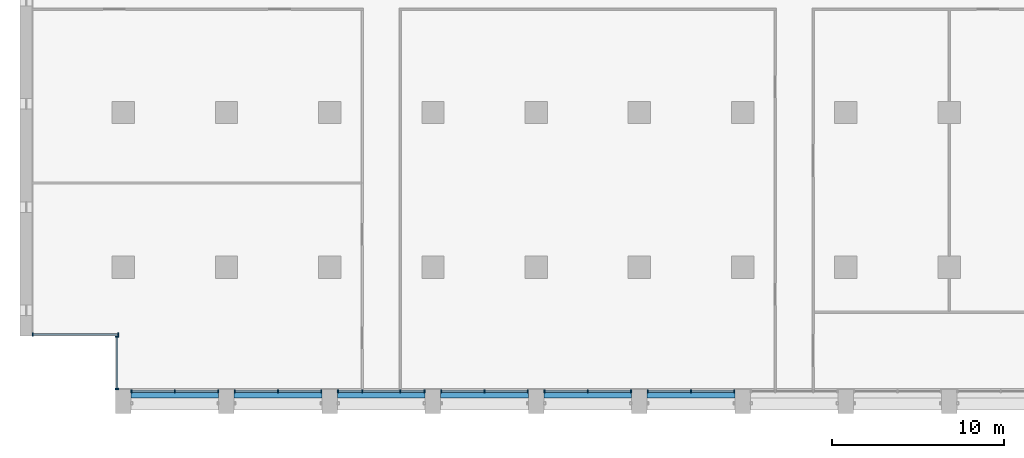
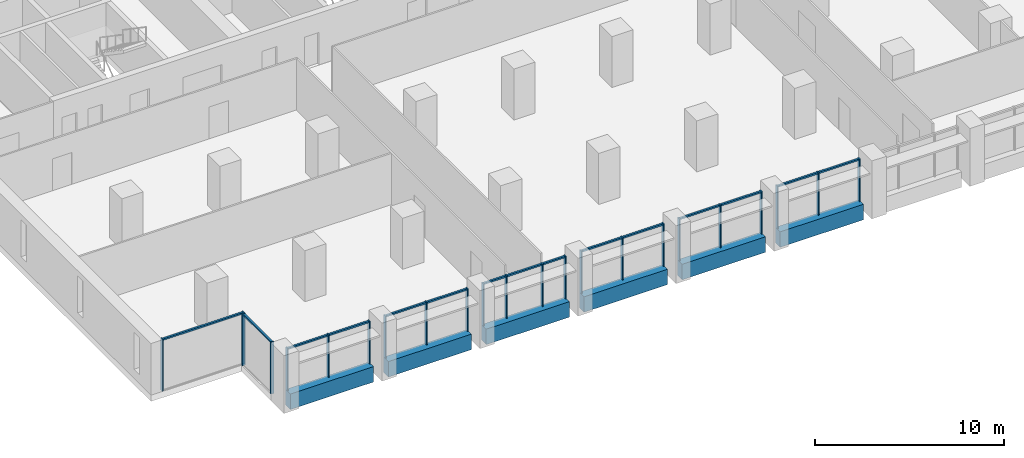
# One storey, part 2 of 15: 38 members, 6 beams, 8 elements without a shape of their own.
"""IFC4 building model written with IfcOpenShell, lengths in metres."""

from ifc_helpers import new_model, si_unit, direction, frame, origin, origin_2d, place, context, subcontext, project, spatial, rectangle, extrude, material, material_profile, profile_set, type_object, element, aggregate, save


model = new_model("IFC4")

# Units and contexts
model_context = context("Model", 3, precision=1e-05, world=origin(), true_north=direction((0.0, 1.0)))
body_context = subcontext(model_context, "Body", "Model", "MODEL_VIEW")
ifc_project = project(units=[si_unit("LENGTHUNIT", "METRE"), si_unit("AREAUNIT", "SQUARE_METRE"), si_unit("VOLUMEUNIT", "CUBIC_METRE"), si_unit("PLANEANGLEUNIT", "RADIAN"), si_unit("MASSUNIT", "GRAM", prefix="KILO")], contexts=[model_context])

# Site, building, storey
site_placement = place(None, origin())
site = spatial("IfcSite", under=ifc_project, at=site_placement, CompositionType="ELEMENT")
building_placement = place(site_placement, origin())
building = spatial("IfcBuilding", under=site, at=building_placement, Name="Calvaro Tower", CompositionType="ELEMENT")
storey_placement = place(building_placement, frame((0.0, 0.0, 132.5)))
storey = spatial("IfcBuildingStorey", under=building, at=storey_placement, Name="L33", CompositionType="ELEMENT", Elevation=132.5)

# Curtain wall, members
ifc_material_1 = material(Name="Anodised aluminium", Category="aluminium")
curtain_wall_type = type_object("IfcCurtainWallType", Name="Office curtain wall, middle zone", PredefinedType="NOTDEFINED", material=ifc_material_1)
curtain_wall_1_placement = place(storey_placement, origin())
curtain_wall_1 = element("IfcCurtainWall", 1, at=curtain_wall_1_placement, inside=storey, type_object=curtain_wall_type, Name="CW2 south curtain wall", PredefinedType="NOTDEFINED")
ifc_material_2 = material(Name="Anodised aluminium", Category="aluminium")
ifc_material_profile_1 = material_profile(ifc_material_2, rectangle(XDim=0.199951171875, YDim=0.070068359375, at=origin_2d()), Name="Mullion S2 70 x 200")
ifc_profile_set_1 = profile_set([ifc_material_profile_1], Name="Anodised aluminium")
member_type_1 = type_object("IfcMemberType", Name="Mullion S2 70 x 200", PredefinedType="MULLION", material=ifc_profile_set_1)
member_1_placement = place(storey_placement, frame((6.485107421875, 2.800048828125, 0.0), z_axis=(0.0, 0.0, 1.0), x_axis=(0.0, 1.0, 0.0)))
member_1 = element("IfcMember", 2, at=member_1_placement, type_object=member_type_1, Name="CW2 mullion 1", PredefinedType="MULLION", context=body_context, shape_type="SweptSolid", body=[
    extrude(rectangle(XDim=0.199951171875, YDim=0.070068359375, at=origin_2d()), origin(), (0.0, 0.0, 1.0), 2.75),
])
member_2_placement = place(storey_placement, frame((9.0, 2.800048828125, 0.0), z_axis=(0.0, 0.0, 1.0), x_axis=(0.0, 1.0, 0.0)))
member_2 = element("IfcMember", 3, at=member_2_placement, type_object=member_type_1, Name="CW2 mullion 2", PredefinedType="MULLION", context=body_context, shape_type="SweptSolid", body=[
    extrude(rectangle(XDim=0.199951171875, YDim=0.070068359375, at=origin_2d()), origin(), (0.0, 0.0, 1.0), 2.75),
])
member_3_placement = place(storey_placement, frame((11.514892578125, 2.800048828125, 0.0), z_axis=(0.0, 0.0, 1.0), x_axis=(0.0, 1.0, 0.0)))
member_3 = element("IfcMember", 4, at=member_3_placement, type_object=member_type_1, Name="CW2 mullion 3", PredefinedType="MULLION", context=body_context, shape_type="SweptSolid", body=[
    extrude(rectangle(XDim=0.199951171875, YDim=0.070068359375, at=origin_2d()), origin(), (0.0, 0.0, 1.0), 2.75),
])

curtain_wall_2_placement = place(storey_placement, origin())
curtain_wall_2 = element("IfcCurtainWall", 5, at=curtain_wall_2_placement, inside=storey, type_object=curtain_wall_type, Name="CW2 south curtain wall", PredefinedType="NOTDEFINED")
member_4_placement = place(storey_placement, frame((12.485107421875, 2.800048828125, 0.0), z_axis=(0.0, 0.0, 1.0), x_axis=(0.0, 1.0, 0.0)))
member_4 = element("IfcMember", 6, at=member_4_placement, type_object=member_type_1, Name="CW2 mullion 1", PredefinedType="MULLION", context=body_context, shape_type="SweptSolid", body=[
    extrude(rectangle(XDim=0.199951171875, YDim=0.070068359375, at=origin_2d()), origin(), (0.0, 0.0, 1.0), 2.75),
])
member_5_placement = place(storey_placement, frame((15.0, 2.800048828125, 0.0), z_axis=(0.0, 0.0, 1.0), x_axis=(0.0, 1.0, 0.0)))
member_5 = element("IfcMember", 7, at=member_5_placement, type_object=member_type_1, Name="CW2 mullion 2", PredefinedType="MULLION", context=body_context, shape_type="SweptSolid", body=[
    extrude(rectangle(XDim=0.199951171875, YDim=0.070068359375, at=origin_2d()), origin(), (0.0, 0.0, 1.0), 2.75),
])
member_6_placement = place(storey_placement, frame((17.514892578125, 2.800048828125, 0.0), z_axis=(0.0, 0.0, 1.0), x_axis=(0.0, 1.0, 0.0)))
member_6 = element("IfcMember", 8, at=member_6_placement, type_object=member_type_1, Name="CW2 mullion 3", PredefinedType="MULLION", context=body_context, shape_type="SweptSolid", body=[
    extrude(rectangle(XDim=0.199951171875, YDim=0.070068359375, at=origin_2d()), origin(), (0.0, 0.0, 1.0), 2.75),
])

curtain_wall_3_placement = place(storey_placement, origin())
curtain_wall_3 = element("IfcCurtainWall", 9, at=curtain_wall_3_placement, inside=storey, type_object=curtain_wall_type, Name="CW2 south curtain wall", PredefinedType="NOTDEFINED")
member_7_placement = place(storey_placement, frame((18.485107421875, 2.800048828125, 0.0), z_axis=(0.0, 0.0, 1.0), x_axis=(0.0, 1.0, 0.0)))
member_7 = element("IfcMember", 10, at=member_7_placement, type_object=member_type_1, Name="CW2 mullion 1", PredefinedType="MULLION", context=body_context, shape_type="SweptSolid", body=[
    extrude(rectangle(XDim=0.199951171875, YDim=0.070068359375, at=origin_2d()), origin(), (0.0, 0.0, 1.0), 2.75),
])
member_8_placement = place(storey_placement, frame((19.89990234375, 2.800048828125, 0.0), z_axis=(0.0, 0.0, 1.0), x_axis=(0.0, 1.0, 0.0)))
member_8 = element("IfcMember", 11, at=member_8_placement, type_object=member_type_1, Name="CW2 mullion 2", PredefinedType="MULLION", context=body_context, shape_type="SweptSolid", body=[
    extrude(rectangle(XDim=0.199951171875, YDim=0.070068359375, at=origin_2d()), origin(), (0.0, 0.0, 1.0), 2.75),
])
member_9_placement = place(storey_placement, frame((22.10009765625, 2.800048828125, 0.0), z_axis=(0.0, 0.0, 1.0), x_axis=(0.0, 1.0, 0.0)))
member_9 = element("IfcMember", 12, at=member_9_placement, type_object=member_type_1, Name="CW2 mullion 3", PredefinedType="MULLION", context=body_context, shape_type="SweptSolid", body=[
    extrude(rectangle(XDim=0.199951171875, YDim=0.070068359375, at=origin_2d()), origin(), (0.0, 0.0, 1.0), 2.75),
])
member_10_placement = place(storey_placement, frame((23.514892578125, 2.800048828125, 0.0), z_axis=(0.0, 0.0, 1.0), x_axis=(0.0, 1.0, 0.0)))
member_10 = element("IfcMember", 13, at=member_10_placement, type_object=member_type_1, Name="CW2 mullion 4", PredefinedType="MULLION", context=body_context, shape_type="SweptSolid", body=[
    extrude(rectangle(XDim=0.199951171875, YDim=0.070068359375, at=origin_2d()), origin(), (0.0, 0.0, 1.0), 2.75),
])

curtain_wall_4_placement = place(storey_placement, origin())
curtain_wall_4 = element("IfcCurtainWall", 14, at=curtain_wall_4_placement, inside=storey, type_object=curtain_wall_type, Name="CW2 south curtain wall", PredefinedType="NOTDEFINED")
member_11_placement = place(storey_placement, frame((24.485107421875, 2.800048828125, 0.0), z_axis=(0.0, 0.0, 1.0), x_axis=(0.0, 1.0, 0.0)))
member_11 = element("IfcMember", 15, at=member_11_placement, type_object=member_type_1, Name="CW2 mullion 1", PredefinedType="MULLION", context=body_context, shape_type="SweptSolid", body=[
    extrude(rectangle(XDim=0.199951171875, YDim=0.070068359375, at=origin_2d()), origin(), (0.0, 0.0, 1.0), 2.75),
])
member_12_placement = place(storey_placement, frame((27.0, 2.800048828125, 0.0), z_axis=(0.0, 0.0, 1.0), x_axis=(0.0, 1.0, 0.0)))
member_12 = element("IfcMember", 16, at=member_12_placement, type_object=member_type_1, Name="CW2 mullion 2", PredefinedType="MULLION", context=body_context, shape_type="SweptSolid", body=[
    extrude(rectangle(XDim=0.199951171875, YDim=0.070068359375, at=origin_2d()), origin(), (0.0, 0.0, 1.0), 2.75),
])
member_13_placement = place(storey_placement, frame((29.514892578125, 2.800048828125, 0.0), z_axis=(0.0, 0.0, 1.0), x_axis=(0.0, 1.0, 0.0)))
member_13 = element("IfcMember", 17, at=member_13_placement, type_object=member_type_1, Name="CW2 mullion 3", PredefinedType="MULLION", context=body_context, shape_type="SweptSolid", body=[
    extrude(rectangle(XDim=0.199951171875, YDim=0.070068359375, at=origin_2d()), origin(), (0.0, 0.0, 1.0), 2.75),
])

curtain_wall_5_placement = place(storey_placement, origin())
curtain_wall_5 = element("IfcCurtainWall", 18, at=curtain_wall_5_placement, inside=storey, type_object=curtain_wall_type, Name="CW2 south curtain wall", PredefinedType="NOTDEFINED")
member_14_placement = place(storey_placement, frame((30.485107421875, 2.800048828125, 0.0), z_axis=(0.0, 0.0, 1.0), x_axis=(0.0, 1.0, 0.0)))
member_14 = element("IfcMember", 19, at=member_14_placement, type_object=member_type_1, Name="CW2 mullion 1", PredefinedType="MULLION", context=body_context, shape_type="SweptSolid", body=[
    extrude(rectangle(XDim=0.199951171875, YDim=0.070068359375, at=origin_2d()), origin(), (0.0, 0.0, 1.0), 2.75),
])
member_15_placement = place(storey_placement, frame((33.0, 2.800048828125, 0.0), z_axis=(0.0, 0.0, 1.0), x_axis=(0.0, 1.0, 0.0)))
member_15 = element("IfcMember", 20, at=member_15_placement, type_object=member_type_1, Name="CW2 mullion 2", PredefinedType="MULLION", context=body_context, shape_type="SweptSolid", body=[
    extrude(rectangle(XDim=0.199951171875, YDim=0.070068359375, at=origin_2d()), origin(), (0.0, 0.0, 1.0), 2.75),
])
member_16_placement = place(storey_placement, frame((35.514892578125, 2.800048828125, 0.0), z_axis=(0.0, 0.0, 1.0), x_axis=(0.0, 1.0, 0.0)))
member_16 = element("IfcMember", 21, at=member_16_placement, type_object=member_type_1, Name="CW2 mullion 3", PredefinedType="MULLION", context=body_context, shape_type="SweptSolid", body=[
    extrude(rectangle(XDim=0.199951171875, YDim=0.070068359375, at=origin_2d()), origin(), (0.0, 0.0, 1.0), 2.75),
])

curtain_wall_6_placement = place(storey_placement, origin())
curtain_wall_6 = element("IfcCurtainWall", 22, at=curtain_wall_6_placement, inside=storey, type_object=curtain_wall_type, Name="CW2 south curtain wall", PredefinedType="NOTDEFINED")
member_17_placement = place(storey_placement, frame((36.485107421875, 2.800048828125, 0.0), z_axis=(0.0, 0.0, 1.0), x_axis=(0.0, 1.0, 0.0)))
member_17 = element("IfcMember", 23, at=member_17_placement, type_object=member_type_1, Name="CW2 mullion 1", PredefinedType="MULLION", context=body_context, shape_type="SweptSolid", body=[
    extrude(rectangle(XDim=0.199951171875, YDim=0.070068359375, at=origin_2d()), origin(), (0.0, 0.0, 1.0), 2.75),
])
member_18_placement = place(storey_placement, frame((39.0, 2.800048828125, 0.0), z_axis=(0.0, 0.0, 1.0), x_axis=(0.0, 1.0, 0.0)))
member_18 = element("IfcMember", 24, at=member_18_placement, type_object=member_type_1, Name="CW2 mullion 2", PredefinedType="MULLION", context=body_context, shape_type="SweptSolid", body=[
    extrude(rectangle(XDim=0.199951171875, YDim=0.070068359375, at=origin_2d()), origin(), (0.0, 0.0, 1.0), 2.75),
])
member_19_placement = place(storey_placement, frame((41.514892578125, 2.800048828125, 0.0), z_axis=(0.0, 0.0, 1.0), x_axis=(0.0, 1.0, 0.0)))
member_19 = element("IfcMember", 25, at=member_19_placement, type_object=member_type_1, Name="CW2 mullion 3", PredefinedType="MULLION", context=body_context, shape_type="SweptSolid", body=[
    extrude(rectangle(XDim=0.199951171875, YDim=0.070068359375, at=origin_2d()), origin(), (0.0, 0.0, 1.0), 2.75),
])

curtain_wall_7_placement = place(storey_placement, origin())
curtain_wall_7 = element("IfcCurtainWall", 26, at=curtain_wall_7_placement, inside=storey, type_object=curtain_wall_type, Name="CW2 corner curtain wall", PredefinedType="NOTDEFINED")
member_20_placement = place(storey_placement, frame((5.64990234375, 2.93505859375, 0.0), z_axis=(0.0, 0.0, 1.0), x_axis=(-1.0, 0.0, 0.0)))
member_20 = element("IfcMember", 27, at=member_20_placement, type_object=member_type_1, Name="CW2 mullion 1", PredefinedType="MULLION", context=body_context, shape_type="SweptSolid", body=[
    extrude(rectangle(XDim=0.199951171875, YDim=0.070068359375, at=origin_2d()), origin(), (0.0, 0.0, 1.0), 3.35009765625),
])
member_21_placement = place(storey_placement, frame((5.64990234375, 5.965087890625, 0.0), z_axis=(0.0, 0.0, 1.0), x_axis=(-1.0, 0.0, 0.0)))
member_21 = element("IfcMember", 28, at=member_21_placement, type_object=member_type_1, Name="CW2 mullion 2", PredefinedType="MULLION", context=body_context, shape_type="SweptSolid", body=[
    extrude(rectangle(XDim=0.199951171875, YDim=0.070068359375, at=origin_2d()), origin(), (0.0, 0.0, 1.0), 3.35009765625),
])

curtain_wall_8_placement = place(storey_placement, origin())
curtain_wall_8 = element("IfcCurtainWall", 29, at=curtain_wall_8_placement, inside=storey, type_object=curtain_wall_type, Name="CW2 corner curtain wall", PredefinedType="NOTDEFINED")
member_22_placement = place(storey_placement, frame((0.735107421875, 6.10009765625, 0.0), z_axis=(0.0, 0.0, 1.0), x_axis=(0.0, 1.0, 0.0)))
member_22 = element("IfcMember", 30, at=member_22_placement, type_object=member_type_1, Name="CW2 mullion 1", PredefinedType="MULLION", context=body_context, shape_type="SweptSolid", body=[
    extrude(rectangle(XDim=0.199951171875, YDim=0.070068359375, at=origin_2d()), origin(), (0.0, 0.0, 1.0), 3.35009765625),
])
member_23_placement = place(storey_placement, frame((5.715087890625, 6.10009765625, 0.0), z_axis=(0.0, 0.0, 1.0), x_axis=(0.0, 1.0, 0.0)))
member_23 = element("IfcMember", 31, at=member_23_placement, type_object=member_type_1, Name="CW2 mullion 2", PredefinedType="MULLION", context=body_context, shape_type="SweptSolid", body=[
    extrude(rectangle(XDim=0.199951171875, YDim=0.070068359375, at=origin_2d()), origin(), (0.0, 0.0, 1.0), 3.35009765625),
])

# Beams
ifc_material_3 = material(Name="Concrete C50/60 precast", Category="concrete")
ifc_material_profile_2 = material_profile(ifc_material_3, rectangle(XDim=0.5, YDim=1.0, at=origin_2d()), Name="RC 500x1000")
ifc_profile_set_2 = profile_set([ifc_material_profile_2], Name="Concrete C50/60 precast")
beam_type = type_object("IfcBeamType", Name="Spandrel beam 500x1000 C50/60", PredefinedType="SPANDREL", material=ifc_profile_set_2)
for number, where, z_axis, x_axis, name in (
    (32, (6.449951171875, 2.64990234375, -0.5), (1.0, 0.0, 0.0), (0.0, 1.0, 0.0), "Spandrel beam"),
    (33, (12.449951171875, 2.64990234375, -0.5), (1.0, 0.0, 0.0), (0.0, 1.0, 0.0), "Spandrel beam"),
    (34, (18.449951171875, 2.64990234375, -0.5), (1.0, 0.0, 0.0), (0.0, 1.0, 0.0), "Spandrel beam"),
    (35, (24.449951171875, 2.64990234375, -0.5), (1.0, 0.0, 0.0), (0.0, 1.0, 0.0), "Spandrel beam"),
    (36, (30.449951171875, 2.64990234375, -0.5), (1.0, 0.0, 0.0), (0.0, 1.0, 0.0), "Spandrel beam"),
    (37, (36.449951171875, 2.64990234375, -0.5), (1.0, 0.0, 0.0), (0.0, 1.0, 0.0), "Spandrel beam"),
):
    element("IfcBeam", number, at=place(storey_placement, frame(where, z_axis=z_axis, x_axis=x_axis)), inside=storey, type_object=beam_type, Name=name, PredefinedType="SPANDREL", context=body_context, shape_type="SweptSolid", body=[
        extrude(rectangle(XDim=0.5, YDim=1.0, at=origin_2d()), origin(), (0.0, 0.0, 1.0), 5.10009765625),
    ])

# Member
ifc_material_4 = material(Name="Anodised aluminium", Category="aluminium")
ifc_material_profile_3 = material_profile(ifc_material_4, rectangle(XDim=0.1201171875, YDim=0.10009765625, at=origin_2d()), Name="Transom S2 100 x 120")
ifc_profile_set_3 = profile_set([ifc_material_profile_3], Name="Anodised aluminium")
member_type_2 = type_object("IfcMemberType", Name="Transom S2 100 x 120", PredefinedType="USERDEFINED", material=ifc_profile_set_3)
member_24_placement = place(storey_placement, frame((6.52001953125, 2.800048828125, 2.699951171875), z_axis=(1.0, 0.0, 0.0), x_axis=(0.0, 1.0, 0.0)))
member_24 = element("IfcMember", 38, at=member_24_placement, type_object=member_type_2, Name="CW2 transom 1.1", ObjectType="TRANSOM", PredefinedType="USERDEFINED", context=body_context, shape_type="SweptSolid", body=[
    extrude(rectangle(XDim=0.1201171875, YDim=0.10009765625, at=origin_2d()), origin(), (0.0, 0.0, 1.0), 2.445068359375),
])

member_25_placement = place(storey_placement, frame((9.034912109375, 2.800048828125, 2.699951171875), z_axis=(1.0, 0.0, 0.0), x_axis=(0.0, 1.0, 0.0)))
member_25 = element("IfcMember", 39, at=member_25_placement, type_object=member_type_2, Name="CW2 transom 2.1", ObjectType="TRANSOM", PredefinedType="USERDEFINED", context=body_context, shape_type="SweptSolid", body=[
    extrude(rectangle(XDim=0.1201171875, YDim=0.10009765625, at=origin_2d()), origin(), (0.0, 0.0, 1.0), 2.445068359375),
])

aggregate(curtain_wall_1, [member_1, member_2, member_3, member_24, member_25])

member_26_placement = place(storey_placement, frame((12.52001953125, 2.800048828125, 2.699951171875), z_axis=(1.0, 0.0, 0.0), x_axis=(0.0, 1.0, 0.0)))
member_26 = element("IfcMember", 40, at=member_26_placement, type_object=member_type_2, Name="CW2 transom 1.1", ObjectType="TRANSOM", PredefinedType="USERDEFINED", context=body_context, shape_type="SweptSolid", body=[
    extrude(rectangle(XDim=0.1201171875, YDim=0.10009765625, at=origin_2d()), origin(), (0.0, 0.0, 1.0), 2.445068359375),
])

member_27_placement = place(storey_placement, frame((15.034912109375, 2.800048828125, 2.699951171875), z_axis=(1.0, 0.0, 0.0), x_axis=(0.0, 1.0, 0.0)))
member_27 = element("IfcMember", 41, at=member_27_placement, type_object=member_type_2, Name="CW2 transom 2.1", ObjectType="TRANSOM", PredefinedType="USERDEFINED", context=body_context, shape_type="SweptSolid", body=[
    extrude(rectangle(XDim=0.1201171875, YDim=0.10009765625, at=origin_2d()), origin(), (0.0, 0.0, 1.0), 2.445068359375),
])

aggregate(curtain_wall_2, [member_4, member_5, member_6, member_26, member_27])

member_28_placement = place(storey_placement, frame((18.52001953125, 2.800048828125, 2.699951171875), z_axis=(1.0, 0.0, 0.0), x_axis=(0.0, 1.0, 0.0)))
member_28 = element("IfcMember", 42, at=member_28_placement, type_object=member_type_2, Name="CW2 transom 1.1", ObjectType="TRANSOM", PredefinedType="USERDEFINED", context=body_context, shape_type="SweptSolid", body=[
    extrude(rectangle(XDim=0.1201171875, YDim=0.10009765625, at=origin_2d()), origin(), (0.0, 0.0, 1.0), 1.344970703125),
])

member_29_placement = place(storey_placement, frame((19.93505859375, 2.800048828125, 2.699951171875), z_axis=(1.0, 0.0, 0.0), x_axis=(0.0, 1.0, 0.0)))
member_29 = element("IfcMember", 43, at=member_29_placement, type_object=member_type_2, Name="CW2 transom 2.1", ObjectType="TRANSOM", PredefinedType="USERDEFINED", context=body_context, shape_type="SweptSolid", body=[
    extrude(rectangle(XDim=0.1201171875, YDim=0.10009765625, at=origin_2d()), origin(), (0.0, 0.0, 1.0), 2.1298828125),
])

member_30_placement = place(storey_placement, frame((22.135009765625, 2.800048828125, 2.699951171875), z_axis=(1.0, 0.0, 0.0), x_axis=(0.0, 1.0, 0.0)))
member_30 = element("IfcMember", 44, at=member_30_placement, type_object=member_type_2, Name="CW2 transom 3.1", ObjectType="TRANSOM", PredefinedType="USERDEFINED", context=body_context, shape_type="SweptSolid", body=[
    extrude(rectangle(XDim=0.1201171875, YDim=0.10009765625, at=origin_2d()), origin(), (0.0, 0.0, 1.0), 1.344970703125),
])

aggregate(curtain_wall_3, [member_7, member_8, member_9, member_10, member_28, member_29, member_30])

member_31_placement = place(storey_placement, frame((24.52001953125, 2.800048828125, 2.699951171875), z_axis=(1.0, 0.0, 0.0), x_axis=(0.0, 1.0, 0.0)))
member_31 = element("IfcMember", 45, at=member_31_placement, type_object=member_type_2, Name="CW2 transom 1.1", ObjectType="TRANSOM", PredefinedType="USERDEFINED", context=body_context, shape_type="SweptSolid", body=[
    extrude(rectangle(XDim=0.1201171875, YDim=0.10009765625, at=origin_2d()), origin(), (0.0, 0.0, 1.0), 2.445068359375),
])

member_32_placement = place(storey_placement, frame((27.034912109375, 2.800048828125, 2.699951171875), z_axis=(1.0, 0.0, 0.0), x_axis=(0.0, 1.0, 0.0)))
member_32 = element("IfcMember", 46, at=member_32_placement, type_object=member_type_2, Name="CW2 transom 2.1", ObjectType="TRANSOM", PredefinedType="USERDEFINED", context=body_context, shape_type="SweptSolid", body=[
    extrude(rectangle(XDim=0.1201171875, YDim=0.10009765625, at=origin_2d()), origin(), (0.0, 0.0, 1.0), 2.445068359375),
])

aggregate(curtain_wall_4, [member_11, member_12, member_13, member_31, member_32])

member_33_placement = place(storey_placement, frame((30.52001953125, 2.800048828125, 2.699951171875), z_axis=(1.0, 0.0, 0.0), x_axis=(0.0, 1.0, 0.0)))
member_33 = element("IfcMember", 47, at=member_33_placement, type_object=member_type_2, Name="CW2 transom 1.1", ObjectType="TRANSOM", PredefinedType="USERDEFINED", context=body_context, shape_type="SweptSolid", body=[
    extrude(rectangle(XDim=0.1201171875, YDim=0.10009765625, at=origin_2d()), origin(), (0.0, 0.0, 1.0), 2.445068359375),
])

member_34_placement = place(storey_placement, frame((33.034912109375, 2.800048828125, 2.699951171875), z_axis=(1.0, 0.0, 0.0), x_axis=(0.0, 1.0, 0.0)))
member_34 = element("IfcMember", 48, at=member_34_placement, type_object=member_type_2, Name="CW2 transom 2.1", ObjectType="TRANSOM", PredefinedType="USERDEFINED", context=body_context, shape_type="SweptSolid", body=[
    extrude(rectangle(XDim=0.1201171875, YDim=0.10009765625, at=origin_2d()), origin(), (0.0, 0.0, 1.0), 2.445068359375),
])

aggregate(curtain_wall_5, [member_14, member_15, member_16, member_33, member_34])

member_35_placement = place(storey_placement, frame((36.52001953125, 2.800048828125, 2.699951171875), z_axis=(1.0, 0.0, 0.0), x_axis=(0.0, 1.0, 0.0)))
member_35 = element("IfcMember", 49, at=member_35_placement, type_object=member_type_2, Name="CW2 transom 1.1", ObjectType="TRANSOM", PredefinedType="USERDEFINED", context=body_context, shape_type="SweptSolid", body=[
    extrude(rectangle(XDim=0.1201171875, YDim=0.10009765625, at=origin_2d()), origin(), (0.0, 0.0, 1.0), 2.445068359375),
])

member_36_placement = place(storey_placement, frame((39.034912109375, 2.800048828125, 2.699951171875), z_axis=(1.0, 0.0, 0.0), x_axis=(0.0, 1.0, 0.0)))
member_36 = element("IfcMember", 50, at=member_36_placement, type_object=member_type_2, Name="CW2 transom 2.1", ObjectType="TRANSOM", PredefinedType="USERDEFINED", context=body_context, shape_type="SweptSolid", body=[
    extrude(rectangle(XDim=0.1201171875, YDim=0.10009765625, at=origin_2d()), origin(), (0.0, 0.0, 1.0), 2.445068359375),
])

aggregate(curtain_wall_6, [member_17, member_18, member_19, member_35, member_36])

member_37_placement = place(storey_placement, frame((5.64990234375, 2.969970703125, 3.300048828125), z_axis=(0.0, 1.0, 0.0), x_axis=(-1.0, 0.0, 0.0)))
member_37 = element("IfcMember", 51, at=member_37_placement, type_object=member_type_2, Name="CW2 transom 1.1", ObjectType="TRANSOM", PredefinedType="USERDEFINED", context=body_context, shape_type="SweptSolid", body=[
    extrude(rectangle(XDim=0.1201171875, YDim=0.10009765625, at=origin_2d()), origin(), (0.0, 0.0, 1.0), 2.9599609375),
])

aggregate(curtain_wall_7, [member_20, member_21, member_37])

member_38_placement = place(storey_placement, frame((0.77001953125, 6.10009765625, 3.300048828125), z_axis=(1.0, 0.0, 0.0), x_axis=(0.0, 1.0, 0.0)))
member_38 = element("IfcMember", 52, at=member_38_placement, type_object=member_type_2, Name="CW2 transom 1.1", ObjectType="TRANSOM", PredefinedType="USERDEFINED", context=body_context, shape_type="SweptSolid", body=[
    extrude(rectangle(XDim=0.1201171875, YDim=0.10009765625, at=origin_2d()), origin(), (0.0, 0.0, 1.0), 4.909912109375),
])

aggregate(curtain_wall_8, [member_22, member_23, member_38])

save(model, "model.ifc")
